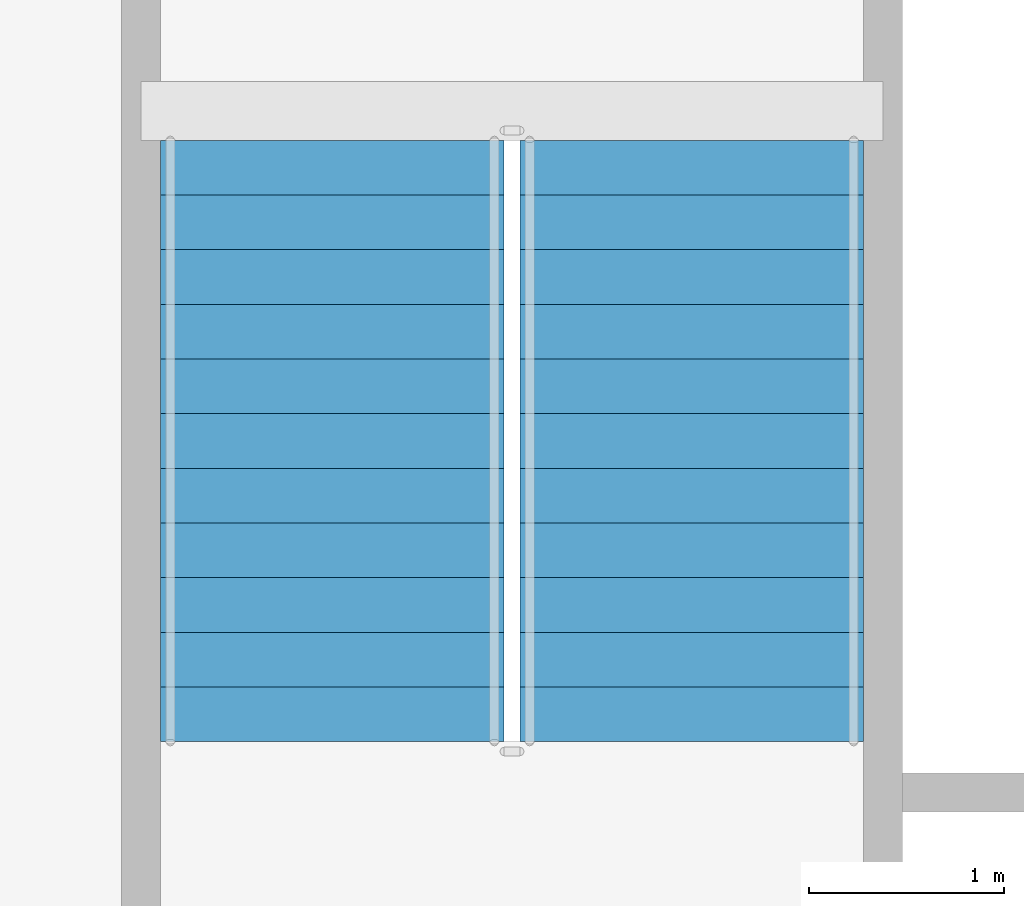
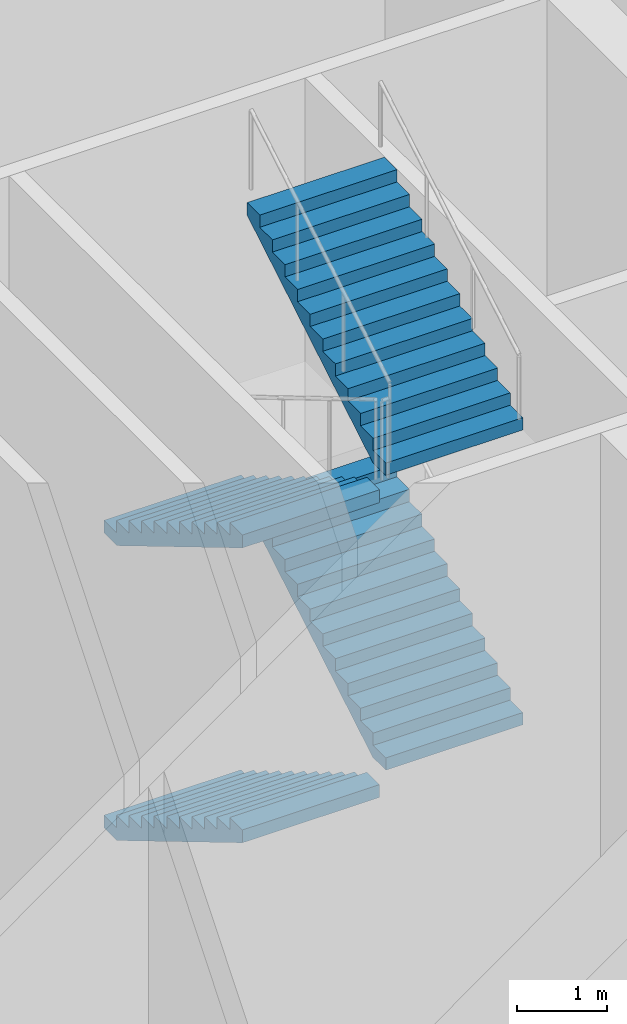
# One storey, part 46 of 55: 4 stair flights, 1 element without a shape of its own.
"""IFC4 building model written with IfcOpenShell, lengths in metres."""

from ifc_helpers import new_model, si_unit, direction, frame, origin, place, context, subcontext, project, spatial, faceted_brep, material, type_object, element, aggregate, save


model = new_model("IFC4")

# Units and contexts
model_context = context("Model", 3, precision=1e-05, world=origin(), true_north=direction((0.0, 1.0)))
body_context = subcontext(model_context, "Body", "Model", "MODEL_VIEW")
ifc_project = project(units=[si_unit("LENGTHUNIT", "METRE"), si_unit("AREAUNIT", "SQUARE_METRE"), si_unit("VOLUMEUNIT", "CUBIC_METRE"), si_unit("PLANEANGLEUNIT", "RADIAN"), si_unit("MASSUNIT", "GRAM", prefix="KILO")], contexts=[model_context])

# Site, building, storey
site_placement = place(None, origin())
site = spatial("IfcSite", under=ifc_project, at=site_placement, CompositionType="ELEMENT")
building_placement = place(site_placement, origin())
building = spatial("IfcBuilding", under=site, at=building_placement, Name="Tarsis Ring Headquarters", CompositionType="ELEMENT")
storey_placement = place(building_placement, frame((0.0, 0.0, 247.199951171875)))
storey = spatial("IfcBuildingStorey", under=building, at=storey_placement, Name="L58", CompositionType="ELEMENT", Elevation=247.199951171875)

# Stair, stair flights
ifc_material_1 = material(Name="Core stair 1760")
stair_type = type_object("IfcStairType", Name="Core stair 1760", PredefinedType="HALF_TURN_STAIR", material=ifc_material_1)
stair_placement = place(storey_placement, origin())
stair = element("IfcStair", 1, at=stair_placement, inside=storey, type_object=stair_type, Name="L58 Exit stair D", PredefinedType="HALF_TURN_STAIR")
ifc_material_2 = material(Name="Concrete C40/50", Category="concrete")
stair_flight_type = type_object("IfcStairFlightType", Name="Core stair flight 1760", PredefinedType="STRAIGHT", material=ifc_material_2)
stair_flight_1_placement = place(storey_placement, frame((3.580078125, -3.659912109375, 0.0), z_axis=(0.0, 0.0, 1.0), x_axis=(0.0, -1.0, 0.0)))
stair_flight_1 = element("IfcStairFlight", 2, at=stair_flight_1_placement, type_object=stair_flight_type, Name="Stair ST4 flight 1", NumberOfRisers=12, NumberOfTreads=11, PredefinedType="STRAIGHT", RiserHeight=0.166666667, TreadLength=0.28, context=body_context, shape_type="Brep", body=[
    faceted_brep([(0.0, 0.8798828125, 0.0), (0.0, 0.8798828125, 0.166748046875), (0.280029296875, 0.8798828125, 0.166748046875), (0.280029296875, 0.8798828125, 0.333251953125), (0.56005859375, 0.8798828125, 0.333251953125), (0.56005859375, 0.8798828125, 0.5), (0.840087890625, 0.8798828125, 0.5), (0.840087890625, 0.8798828125, 0.666748046875), (1.1201171875, 0.8798828125, 0.666748046875), (1.1201171875, 0.8798828125, 0.833251953125), (1.39990234375, 0.8798828125, 0.833251953125), (1.39990234375, 0.8798828125, 1.0), (1.679931640625, 0.8798828125, 1.0), (1.679931640625, 0.8798828125, 1.166748046875), (1.9599609375, 0.8798828125, 1.166748046875), (1.9599609375, 0.8798828125, 1.333251953125), (2.239990234375, 0.8798828125, 1.333251953125), (2.239990234375, 0.8798828125, 1.5), (2.52001953125, 0.8798828125, 1.5), (2.52001953125, 0.8798828125, 1.666748046875), (2.800048828125, 0.8798828125, 1.666748046875), (2.800048828125, 0.8798828125, 1.833251953125), (3.080078125, 0.8798828125, 1.833251953125), (3.080078125, 0.8798828125, 1.658935546875), (0.29296875, 0.8798828125, 0.0), (0.29296875, -0.8798828125, 0.0), (3.080078125, -0.8798828125, 1.658935546875), (3.080078125, -0.8798828125, 1.833251953125), (2.800048828125, -0.8798828125, 1.833251953125), (2.800048828125, -0.8798828125, 1.666748046875), (2.52001953125, -0.8798828125, 1.666748046875), (2.52001953125, -0.8798828125, 1.5), (2.239990234375, -0.8798828125, 1.5), (2.239990234375, -0.8798828125, 1.333251953125), (1.9599609375, -0.8798828125, 1.333251953125), (1.9599609375, -0.8798828125, 1.166748046875), (1.679931640625, -0.8798828125, 1.166748046875), (1.679931640625, -0.8798828125, 1.0), (1.39990234375, -0.8798828125, 1.0), (1.39990234375, -0.8798828125, 0.833251953125), (1.1201171875, -0.8798828125, 0.833251953125), (1.1201171875, -0.8798828125, 0.666748046875), (0.840087890625, -0.8798828125, 0.666748046875), (0.840087890625, -0.8798828125, 0.5), (0.56005859375, -0.8798828125, 0.5), (0.56005859375, -0.8798828125, 0.333251953125), (0.280029296875, -0.8798828125, 0.333251953125), (0.280029296875, -0.8798828125, 0.166748046875), (0.0, -0.8798828125, 0.166748046875), (0.0, -0.8798828125, 0.0), (0.0, -0.43994140625, 0.166748046875), (0.0, -0.43994140625, 0.0), (0.0, 0.0, 0.166748046875), (0.0, 0.0, 0.0), (0.0, 0.43994140625, 0.166748046875), (0.0, 0.43994140625, 0.0), (0.280029296875, -0.43994140625, 0.166748046875), (0.280029296875, 0.0, 0.166748046875), (0.280029296875, 0.43994140625, 0.166748046875), (0.280029296875, -0.43994140625, 0.333251953125), (0.280029296875, 0.0, 0.333251953125), (0.280029296875, 0.43994140625, 0.333251953125), (0.56005859375, -0.43994140625, 0.333251953125), (0.56005859375, 0.0, 0.333251953125), (0.56005859375, 0.43994140625, 0.333251953125), (0.56005859375, -0.43994140625, 0.5), (0.56005859375, 0.0, 0.5), (0.56005859375, 0.43994140625, 0.5), (0.840087890625, -0.43994140625, 0.5), (0.840087890625, 0.0, 0.5), (0.840087890625, 0.43994140625, 0.5), (0.840087890625, -0.43994140625, 0.666748046875), (0.840087890625, 0.0, 0.666748046875), (0.840087890625, 0.43994140625, 0.666748046875), (1.1201171875, -0.43994140625, 0.666748046875), (1.1201171875, 0.0, 0.666748046875), (1.1201171875, 0.43994140625, 0.666748046875), (1.1201171875, -0.43994140625, 0.833251953125), (1.1201171875, 0.0, 0.833251953125), (1.1201171875, 0.43994140625, 0.833251953125), (1.39990234375, -0.43994140625, 0.833251953125), (1.39990234375, 0.0, 0.833251953125), (1.39990234375, 0.43994140625, 0.833251953125), (1.39990234375, -0.43994140625, 1.0), (1.39990234375, 0.0, 1.0), (1.39990234375, 0.43994140625, 1.0), (1.679931640625, -0.43994140625, 1.0), (1.679931640625, 0.0, 1.0), (1.679931640625, 0.43994140625, 1.0), (1.679931640625, -0.43994140625, 1.166748046875), (1.679931640625, 0.0, 1.166748046875), (1.679931640625, 0.43994140625, 1.166748046875), (1.9599609375, -0.43994140625, 1.166748046875), (1.9599609375, 0.0, 1.166748046875), (1.9599609375, 0.43994140625, 1.166748046875), (1.9599609375, -0.43994140625, 1.333251953125), (1.9599609375, 0.0, 1.333251953125), (1.9599609375, 0.43994140625, 1.333251953125), (2.239990234375, -0.43994140625, 1.333251953125), (2.239990234375, 0.0, 1.333251953125), (2.239990234375, 0.43994140625, 1.333251953125), (2.239990234375, -0.43994140625, 1.5), (2.239990234375, 0.0, 1.5), (2.239990234375, 0.43994140625, 1.5), (2.52001953125, -0.43994140625, 1.5), (2.52001953125, 0.0, 1.5), (2.52001953125, 0.43994140625, 1.5), (2.52001953125, -0.43994140625, 1.666748046875), (2.52001953125, 0.0, 1.666748046875), (2.52001953125, 0.43994140625, 1.666748046875), (2.800048828125, -0.43994140625, 1.666748046875), (2.800048828125, 0.0, 1.666748046875), (2.800048828125, 0.43994140625, 1.666748046875), (2.800048828125, -0.43994140625, 1.833251953125), (2.800048828125, 0.0, 1.833251953125), (2.800048828125, 0.43994140625, 1.833251953125), (3.080078125, -0.43994140625, 1.833251953125), (3.080078125, 0.0, 1.833251953125), (3.080078125, 0.43994140625, 1.833251953125), (3.080078125, -0.43994140625, 1.658935546875), (3.080078125, 0.0, 1.658935546875), (3.080078125, 0.43994140625, 1.658935546875), (0.29296875, -0.43994140625, 0.0), (0.29296875, 0.0, 0.0), (0.29296875, 0.43994140625, 0.0)], [[[0, 1, 2, 3, 4, 5, 6, 7, 8, 9, 10, 11, 12, 13, 14, 15, 16, 17, 18, 19, 20, 21, 22, 23, 24]], [[25, 26, 27, 28, 29, 30, 31, 32, 33, 34, 35, 36, 37, 38, 39, 40, 41, 42, 43, 44, 45, 46, 47, 48, 49]], [[49, 48, 50, 51]], [[51, 50, 52, 53]], [[53, 52, 54, 55]], [[55, 54, 1, 0]], [[48, 47, 56, 50]], [[50, 56, 57, 52]], [[52, 57, 58, 54]], [[54, 58, 2, 1]], [[47, 46, 59, 56]], [[56, 59, 60, 57]], [[57, 60, 61, 58]], [[58, 61, 3, 2]], [[46, 45, 62, 59]], [[59, 62, 63, 60]], [[60, 63, 64, 61]], [[61, 64, 4, 3]], [[45, 44, 65, 62]], [[62, 65, 66, 63]], [[63, 66, 67, 64]], [[64, 67, 5, 4]], [[44, 43, 68, 65]], [[65, 68, 69, 66]], [[66, 69, 70, 67]], [[67, 70, 6, 5]], [[43, 42, 71, 68]], [[68, 71, 72, 69]], [[69, 72, 73, 70]], [[70, 73, 7, 6]], [[42, 41, 74, 71]], [[71, 74, 75, 72]], [[72, 75, 76, 73]], [[73, 76, 8, 7]], [[41, 40, 77, 74]], [[74, 77, 78, 75]], [[75, 78, 79, 76]], [[76, 79, 9, 8]], [[40, 39, 80, 77]], [[77, 80, 81, 78]], [[78, 81, 82, 79]], [[79, 82, 10, 9]], [[39, 38, 83, 80]], [[80, 83, 84, 81]], [[81, 84, 85, 82]], [[82, 85, 11, 10]], [[38, 37, 86, 83]], [[83, 86, 87, 84]], [[84, 87, 88, 85]], [[85, 88, 12, 11]], [[37, 36, 89, 86]], [[86, 89, 90, 87]], [[87, 90, 91, 88]], [[88, 91, 13, 12]], [[36, 35, 92, 89]], [[89, 92, 93, 90]], [[90, 93, 94, 91]], [[91, 94, 14, 13]], [[35, 34, 95, 92]], [[92, 95, 96, 93]], [[93, 96, 97, 94]], [[94, 97, 15, 14]], [[34, 33, 98, 95]], [[95, 98, 99, 96]], [[96, 99, 100, 97]], [[97, 100, 16, 15]], [[33, 32, 101, 98]], [[98, 101, 102, 99]], [[99, 102, 103, 100]], [[100, 103, 17, 16]], [[32, 31, 104, 101]], [[101, 104, 105, 102]], [[102, 105, 106, 103]], [[103, 106, 18, 17]], [[31, 30, 107, 104]], [[104, 107, 108, 105]], [[105, 108, 109, 106]], [[106, 109, 19, 18]], [[30, 29, 110, 107]], [[107, 110, 111, 108]], [[108, 111, 112, 109]], [[109, 112, 20, 19]], [[29, 28, 113, 110]], [[110, 113, 114, 111]], [[111, 114, 115, 112]], [[112, 115, 21, 20]], [[28, 27, 116, 113]], [[113, 116, 117, 114]], [[114, 117, 118, 115]], [[115, 118, 22, 21]], [[27, 26, 119, 116]], [[116, 119, 120, 117]], [[117, 120, 121, 118]], [[118, 121, 23, 22]], [[26, 25, 122, 119]], [[119, 122, 123, 120]], [[120, 123, 124, 121]], [[121, 124, 24, 23]], [[25, 49, 51, 122]], [[122, 51, 53, 123]], [[123, 53, 55, 124]], [[124, 55, 0, 24]]]),
])
stair_flight_2_placement = place(storey_placement, frame((5.419921875, -6.739990234375, 2.0), z_axis=(0.0, 0.0, 1.0), x_axis=(0.0, 1.0, 0.0)))
stair_flight_2 = element("IfcStairFlight", 3, at=stair_flight_2_placement, type_object=stair_flight_type, Name="Stair ST4 flight 2", NumberOfRisers=12, NumberOfTreads=11, PredefinedType="STRAIGHT", RiserHeight=0.166666667, TreadLength=0.28, context=body_context, shape_type="Brep", body=[
    faceted_brep([(0.0, 0.8798828125, 0.0), (0.0, 0.8798828125, 0.166748046875), (0.280029296875, 0.8798828125, 0.166748046875), (0.280029296875, 0.8798828125, 0.333251953125), (0.56005859375, 0.8798828125, 0.333251953125), (0.56005859375, 0.8798828125, 0.5), (0.840087890625, 0.8798828125, 0.5), (0.840087890625, 0.8798828125, 0.666748046875), (1.1201171875, 0.8798828125, 0.666748046875), (1.1201171875, 0.8798828125, 0.833251953125), (1.39990234375, 0.8798828125, 0.833251953125), (1.39990234375, 0.8798828125, 1.0), (1.679931640625, 0.8798828125, 1.0), (1.679931640625, 0.8798828125, 1.166748046875), (1.9599609375, 0.8798828125, 1.166748046875), (1.9599609375, 0.8798828125, 1.333251953125), (2.239990234375, 0.8798828125, 1.333251953125), (2.239990234375, 0.8798828125, 1.5), (2.52001953125, 0.8798828125, 1.5), (2.52001953125, 0.8798828125, 1.666748046875), (2.800048828125, 0.8798828125, 1.666748046875), (2.800048828125, 0.8798828125, 1.833251953125), (3.080078125, 0.8798828125, 1.833251953125), (3.080078125, 0.8798828125, 1.658935546875), (0.29296875, 0.8798828125, 0.0), (0.29296875, -0.8798828125, 0.0), (3.080078125, -0.8798828125, 1.658935546875), (3.080078125, -0.8798828125, 1.833251953125), (2.800048828125, -0.8798828125, 1.833251953125), (2.800048828125, -0.8798828125, 1.666748046875), (2.52001953125, -0.8798828125, 1.666748046875), (2.52001953125, -0.8798828125, 1.5), (2.239990234375, -0.8798828125, 1.5), (2.239990234375, -0.8798828125, 1.333251953125), (1.9599609375, -0.8798828125, 1.333251953125), (1.9599609375, -0.8798828125, 1.166748046875), (1.679931640625, -0.8798828125, 1.166748046875), (1.679931640625, -0.8798828125, 1.0), (1.39990234375, -0.8798828125, 1.0), (1.39990234375, -0.8798828125, 0.833251953125), (1.1201171875, -0.8798828125, 0.833251953125), (1.1201171875, -0.8798828125, 0.666748046875), (0.840087890625, -0.8798828125, 0.666748046875), (0.840087890625, -0.8798828125, 0.5), (0.56005859375, -0.8798828125, 0.5), (0.56005859375, -0.8798828125, 0.333251953125), (0.280029296875, -0.8798828125, 0.333251953125), (0.280029296875, -0.8798828125, 0.166748046875), (0.0, -0.8798828125, 0.166748046875), (0.0, -0.8798828125, 0.0), (0.0, -0.43994140625, 0.166748046875), (0.0, -0.43994140625, 0.0), (0.0, 0.0, 0.166748046875), (0.0, 0.0, 0.0), (0.0, 0.43994140625, 0.166748046875), (0.0, 0.43994140625, 0.0), (0.280029296875, -0.43994140625, 0.166748046875), (0.280029296875, 0.0, 0.166748046875), (0.280029296875, 0.43994140625, 0.166748046875), (0.280029296875, -0.43994140625, 0.333251953125), (0.280029296875, 0.0, 0.333251953125), (0.280029296875, 0.43994140625, 0.333251953125), (0.56005859375, -0.43994140625, 0.333251953125), (0.56005859375, 0.0, 0.333251953125), (0.56005859375, 0.43994140625, 0.333251953125), (0.56005859375, -0.43994140625, 0.5), (0.56005859375, 0.0, 0.5), (0.56005859375, 0.43994140625, 0.5), (0.840087890625, -0.43994140625, 0.5), (0.840087890625, 0.0, 0.5), (0.840087890625, 0.43994140625, 0.5), (0.840087890625, -0.43994140625, 0.666748046875), (0.840087890625, 0.0, 0.666748046875), (0.840087890625, 0.43994140625, 0.666748046875), (1.1201171875, -0.43994140625, 0.666748046875), (1.1201171875, 0.0, 0.666748046875), (1.1201171875, 0.43994140625, 0.666748046875), (1.1201171875, -0.43994140625, 0.833251953125), (1.1201171875, 0.0, 0.833251953125), (1.1201171875, 0.43994140625, 0.833251953125), (1.39990234375, -0.43994140625, 0.833251953125), (1.39990234375, 0.0, 0.833251953125), (1.39990234375, 0.43994140625, 0.833251953125), (1.39990234375, -0.43994140625, 1.0), (1.39990234375, 0.0, 1.0), (1.39990234375, 0.43994140625, 1.0), (1.679931640625, -0.43994140625, 1.0), (1.679931640625, 0.0, 1.0), (1.679931640625, 0.43994140625, 1.0), (1.679931640625, -0.43994140625, 1.166748046875), (1.679931640625, 0.0, 1.166748046875), (1.679931640625, 0.43994140625, 1.166748046875), (1.9599609375, -0.43994140625, 1.166748046875), (1.9599609375, 0.0, 1.166748046875), (1.9599609375, 0.43994140625, 1.166748046875), (1.9599609375, -0.43994140625, 1.333251953125), (1.9599609375, 0.0, 1.333251953125), (1.9599609375, 0.43994140625, 1.333251953125), (2.239990234375, -0.43994140625, 1.333251953125), (2.239990234375, 0.0, 1.333251953125), (2.239990234375, 0.43994140625, 1.333251953125), (2.239990234375, -0.43994140625, 1.5), (2.239990234375, 0.0, 1.5), (2.239990234375, 0.43994140625, 1.5), (2.52001953125, -0.43994140625, 1.5), (2.52001953125, 0.0, 1.5), (2.52001953125, 0.43994140625, 1.5), (2.52001953125, -0.43994140625, 1.666748046875), (2.52001953125, 0.0, 1.666748046875), (2.52001953125, 0.43994140625, 1.666748046875), (2.800048828125, -0.43994140625, 1.666748046875), (2.800048828125, 0.0, 1.666748046875), (2.800048828125, 0.43994140625, 1.666748046875), (2.800048828125, -0.43994140625, 1.833251953125), (2.800048828125, 0.0, 1.833251953125), (2.800048828125, 0.43994140625, 1.833251953125), (3.080078125, -0.43994140625, 1.833251953125), (3.080078125, 0.0, 1.833251953125), (3.080078125, 0.43994140625, 1.833251953125), (3.080078125, -0.43994140625, 1.658935546875), (3.080078125, 0.0, 1.658935546875), (3.080078125, 0.43994140625, 1.658935546875), (0.29296875, -0.43994140625, 0.0), (0.29296875, 0.0, 0.0), (0.29296875, 0.43994140625, 0.0)], [[[0, 1, 2, 3, 4, 5, 6, 7, 8, 9, 10, 11, 12, 13, 14, 15, 16, 17, 18, 19, 20, 21, 22, 23, 24]], [[25, 26, 27, 28, 29, 30, 31, 32, 33, 34, 35, 36, 37, 38, 39, 40, 41, 42, 43, 44, 45, 46, 47, 48, 49]], [[49, 48, 50, 51]], [[51, 50, 52, 53]], [[53, 52, 54, 55]], [[55, 54, 1, 0]], [[48, 47, 56, 50]], [[50, 56, 57, 52]], [[52, 57, 58, 54]], [[54, 58, 2, 1]], [[47, 46, 59, 56]], [[56, 59, 60, 57]], [[57, 60, 61, 58]], [[58, 61, 3, 2]], [[46, 45, 62, 59]], [[59, 62, 63, 60]], [[60, 63, 64, 61]], [[61, 64, 4, 3]], [[45, 44, 65, 62]], [[62, 65, 66, 63]], [[63, 66, 67, 64]], [[64, 67, 5, 4]], [[44, 43, 68, 65]], [[65, 68, 69, 66]], [[66, 69, 70, 67]], [[67, 70, 6, 5]], [[43, 42, 71, 68]], [[68, 71, 72, 69]], [[69, 72, 73, 70]], [[70, 73, 7, 6]], [[42, 41, 74, 71]], [[71, 74, 75, 72]], [[72, 75, 76, 73]], [[73, 76, 8, 7]], [[41, 40, 77, 74]], [[74, 77, 78, 75]], [[75, 78, 79, 76]], [[76, 79, 9, 8]], [[40, 39, 80, 77]], [[77, 80, 81, 78]], [[78, 81, 82, 79]], [[79, 82, 10, 9]], [[39, 38, 83, 80]], [[80, 83, 84, 81]], [[81, 84, 85, 82]], [[82, 85, 11, 10]], [[38, 37, 86, 83]], [[83, 86, 87, 84]], [[84, 87, 88, 85]], [[85, 88, 12, 11]], [[37, 36, 89, 86]], [[86, 89, 90, 87]], [[87, 90, 91, 88]], [[88, 91, 13, 12]], [[36, 35, 92, 89]], [[89, 92, 93, 90]], [[90, 93, 94, 91]], [[91, 94, 14, 13]], [[35, 34, 95, 92]], [[92, 95, 96, 93]], [[93, 96, 97, 94]], [[94, 97, 15, 14]], [[34, 33, 98, 95]], [[95, 98, 99, 96]], [[96, 99, 100, 97]], [[97, 100, 16, 15]], [[33, 32, 101, 98]], [[98, 101, 102, 99]], [[99, 102, 103, 100]], [[100, 103, 17, 16]], [[32, 31, 104, 101]], [[101, 104, 105, 102]], [[102, 105, 106, 103]], [[103, 106, 18, 17]], [[31, 30, 107, 104]], [[104, 107, 108, 105]], [[105, 108, 109, 106]], [[106, 109, 19, 18]], [[30, 29, 110, 107]], [[107, 110, 111, 108]], [[108, 111, 112, 109]], [[109, 112, 20, 19]], [[29, 28, 113, 110]], [[110, 113, 114, 111]], [[111, 114, 115, 112]], [[112, 115, 21, 20]], [[28, 27, 116, 113]], [[113, 116, 117, 114]], [[114, 117, 118, 115]], [[115, 118, 22, 21]], [[27, 26, 119, 116]], [[116, 119, 120, 117]], [[117, 120, 121, 118]], [[118, 121, 23, 22]], [[26, 25, 122, 119]], [[119, 122, 123, 120]], [[120, 123, 124, 121]], [[121, 124, 24, 23]], [[25, 49, 51, 122]], [[122, 51, 53, 123]], [[123, 53, 55, 124]], [[124, 55, 0, 24]]]),
])
stair_flight_3_placement = place(storey_placement, frame((3.580078125, -3.659912109375, 4.0), z_axis=(0.0, 0.0, 1.0), x_axis=(0.0, -1.0, 0.0)))
stair_flight_3 = element("IfcStairFlight", 4, at=stair_flight_3_placement, type_object=stair_flight_type, Name="Stair ST4 flight 3", NumberOfRisers=12, NumberOfTreads=11, PredefinedType="STRAIGHT", RiserHeight=0.166666667, TreadLength=0.28, context=body_context, shape_type="Brep", body=[
    faceted_brep([(0.0, 0.8798828125, 0.0), (0.0, 0.8798828125, 0.166748046875), (0.280029296875, 0.8798828125, 0.166748046875), (0.280029296875, 0.8798828125, 0.333251953125), (0.56005859375, 0.8798828125, 0.333251953125), (0.56005859375, 0.8798828125, 0.5), (0.840087890625, 0.8798828125, 0.5), (0.840087890625, 0.8798828125, 0.666748046875), (1.1201171875, 0.8798828125, 0.666748046875), (1.1201171875, 0.8798828125, 0.833251953125), (1.39990234375, 0.8798828125, 0.833251953125), (1.39990234375, 0.8798828125, 1.0), (1.679931640625, 0.8798828125, 1.0), (1.679931640625, 0.8798828125, 1.166748046875), (1.9599609375, 0.8798828125, 1.166748046875), (1.9599609375, 0.8798828125, 1.333251953125), (2.239990234375, 0.8798828125, 1.333251953125), (2.239990234375, 0.8798828125, 1.5), (2.52001953125, 0.8798828125, 1.5), (2.52001953125, 0.8798828125, 1.666748046875), (2.800048828125, 0.8798828125, 1.666748046875), (2.800048828125, 0.8798828125, 1.833251953125), (3.080078125, 0.8798828125, 1.833251953125), (3.080078125, 0.8798828125, 1.658935546875), (0.29296875, 0.8798828125, 0.0), (0.29296875, -0.8798828125, 0.0), (3.080078125, -0.8798828125, 1.658935546875), (3.080078125, -0.8798828125, 1.833251953125), (2.800048828125, -0.8798828125, 1.833251953125), (2.800048828125, -0.8798828125, 1.666748046875), (2.52001953125, -0.8798828125, 1.666748046875), (2.52001953125, -0.8798828125, 1.5), (2.239990234375, -0.8798828125, 1.5), (2.239990234375, -0.8798828125, 1.333251953125), (1.9599609375, -0.8798828125, 1.333251953125), (1.9599609375, -0.8798828125, 1.166748046875), (1.679931640625, -0.8798828125, 1.166748046875), (1.679931640625, -0.8798828125, 1.0), (1.39990234375, -0.8798828125, 1.0), (1.39990234375, -0.8798828125, 0.833251953125), (1.1201171875, -0.8798828125, 0.833251953125), (1.1201171875, -0.8798828125, 0.666748046875), (0.840087890625, -0.8798828125, 0.666748046875), (0.840087890625, -0.8798828125, 0.5), (0.56005859375, -0.8798828125, 0.5), (0.56005859375, -0.8798828125, 0.333251953125), (0.280029296875, -0.8798828125, 0.333251953125), (0.280029296875, -0.8798828125, 0.166748046875), (0.0, -0.8798828125, 0.166748046875), (0.0, -0.8798828125, 0.0), (0.0, -0.43994140625, 0.166748046875), (0.0, -0.43994140625, 0.0), (0.0, 0.0, 0.166748046875), (0.0, 0.0, 0.0), (0.0, 0.43994140625, 0.166748046875), (0.0, 0.43994140625, 0.0), (0.280029296875, -0.43994140625, 0.166748046875), (0.280029296875, 0.0, 0.166748046875), (0.280029296875, 0.43994140625, 0.166748046875), (0.280029296875, -0.43994140625, 0.333251953125), (0.280029296875, 0.0, 0.333251953125), (0.280029296875, 0.43994140625, 0.333251953125), (0.56005859375, -0.43994140625, 0.333251953125), (0.56005859375, 0.0, 0.333251953125), (0.56005859375, 0.43994140625, 0.333251953125), (0.56005859375, -0.43994140625, 0.5), (0.56005859375, 0.0, 0.5), (0.56005859375, 0.43994140625, 0.5), (0.840087890625, -0.43994140625, 0.5), (0.840087890625, 0.0, 0.5), (0.840087890625, 0.43994140625, 0.5), (0.840087890625, -0.43994140625, 0.666748046875), (0.840087890625, 0.0, 0.666748046875), (0.840087890625, 0.43994140625, 0.666748046875), (1.1201171875, -0.43994140625, 0.666748046875), (1.1201171875, 0.0, 0.666748046875), (1.1201171875, 0.43994140625, 0.666748046875), (1.1201171875, -0.43994140625, 0.833251953125), (1.1201171875, 0.0, 0.833251953125), (1.1201171875, 0.43994140625, 0.833251953125), (1.39990234375, -0.43994140625, 0.833251953125), (1.39990234375, 0.0, 0.833251953125), (1.39990234375, 0.43994140625, 0.833251953125), (1.39990234375, -0.43994140625, 1.0), (1.39990234375, 0.0, 1.0), (1.39990234375, 0.43994140625, 1.0), (1.679931640625, -0.43994140625, 1.0), (1.679931640625, 0.0, 1.0), (1.679931640625, 0.43994140625, 1.0), (1.679931640625, -0.43994140625, 1.166748046875), (1.679931640625, 0.0, 1.166748046875), (1.679931640625, 0.43994140625, 1.166748046875), (1.9599609375, -0.43994140625, 1.166748046875), (1.9599609375, 0.0, 1.166748046875), (1.9599609375, 0.43994140625, 1.166748046875), (1.9599609375, -0.43994140625, 1.333251953125), (1.9599609375, 0.0, 1.333251953125), (1.9599609375, 0.43994140625, 1.333251953125), (2.239990234375, -0.43994140625, 1.333251953125), (2.239990234375, 0.0, 1.333251953125), (2.239990234375, 0.43994140625, 1.333251953125), (2.239990234375, -0.43994140625, 1.5), (2.239990234375, 0.0, 1.5), (2.239990234375, 0.43994140625, 1.5), (2.52001953125, -0.43994140625, 1.5), (2.52001953125, 0.0, 1.5), (2.52001953125, 0.43994140625, 1.5), (2.52001953125, -0.43994140625, 1.666748046875), (2.52001953125, 0.0, 1.666748046875), (2.52001953125, 0.43994140625, 1.666748046875), (2.800048828125, -0.43994140625, 1.666748046875), (2.800048828125, 0.0, 1.666748046875), (2.800048828125, 0.43994140625, 1.666748046875), (2.800048828125, -0.43994140625, 1.833251953125), (2.800048828125, 0.0, 1.833251953125), (2.800048828125, 0.43994140625, 1.833251953125), (3.080078125, -0.43994140625, 1.833251953125), (3.080078125, 0.0, 1.833251953125), (3.080078125, 0.43994140625, 1.833251953125), (3.080078125, -0.43994140625, 1.658935546875), (3.080078125, 0.0, 1.658935546875), (3.080078125, 0.43994140625, 1.658935546875), (0.29296875, -0.43994140625, 0.0), (0.29296875, 0.0, 0.0), (0.29296875, 0.43994140625, 0.0)], [[[0, 1, 2, 3, 4, 5, 6, 7, 8, 9, 10, 11, 12, 13, 14, 15, 16, 17, 18, 19, 20, 21, 22, 23, 24]], [[25, 26, 27, 28, 29, 30, 31, 32, 33, 34, 35, 36, 37, 38, 39, 40, 41, 42, 43, 44, 45, 46, 47, 48, 49]], [[49, 48, 50, 51]], [[51, 50, 52, 53]], [[53, 52, 54, 55]], [[55, 54, 1, 0]], [[48, 47, 56, 50]], [[50, 56, 57, 52]], [[52, 57, 58, 54]], [[54, 58, 2, 1]], [[47, 46, 59, 56]], [[56, 59, 60, 57]], [[57, 60, 61, 58]], [[58, 61, 3, 2]], [[46, 45, 62, 59]], [[59, 62, 63, 60]], [[60, 63, 64, 61]], [[61, 64, 4, 3]], [[45, 44, 65, 62]], [[62, 65, 66, 63]], [[63, 66, 67, 64]], [[64, 67, 5, 4]], [[44, 43, 68, 65]], [[65, 68, 69, 66]], [[66, 69, 70, 67]], [[67, 70, 6, 5]], [[43, 42, 71, 68]], [[68, 71, 72, 69]], [[69, 72, 73, 70]], [[70, 73, 7, 6]], [[42, 41, 74, 71]], [[71, 74, 75, 72]], [[72, 75, 76, 73]], [[73, 76, 8, 7]], [[41, 40, 77, 74]], [[74, 77, 78, 75]], [[75, 78, 79, 76]], [[76, 79, 9, 8]], [[40, 39, 80, 77]], [[77, 80, 81, 78]], [[78, 81, 82, 79]], [[79, 82, 10, 9]], [[39, 38, 83, 80]], [[80, 83, 84, 81]], [[81, 84, 85, 82]], [[82, 85, 11, 10]], [[38, 37, 86, 83]], [[83, 86, 87, 84]], [[84, 87, 88, 85]], [[85, 88, 12, 11]], [[37, 36, 89, 86]], [[86, 89, 90, 87]], [[87, 90, 91, 88]], [[88, 91, 13, 12]], [[36, 35, 92, 89]], [[89, 92, 93, 90]], [[90, 93, 94, 91]], [[91, 94, 14, 13]], [[35, 34, 95, 92]], [[92, 95, 96, 93]], [[93, 96, 97, 94]], [[94, 97, 15, 14]], [[34, 33, 98, 95]], [[95, 98, 99, 96]], [[96, 99, 100, 97]], [[97, 100, 16, 15]], [[33, 32, 101, 98]], [[98, 101, 102, 99]], [[99, 102, 103, 100]], [[100, 103, 17, 16]], [[32, 31, 104, 101]], [[101, 104, 105, 102]], [[102, 105, 106, 103]], [[103, 106, 18, 17]], [[31, 30, 107, 104]], [[104, 107, 108, 105]], [[105, 108, 109, 106]], [[106, 109, 19, 18]], [[30, 29, 110, 107]], [[107, 110, 111, 108]], [[108, 111, 112, 109]], [[109, 112, 20, 19]], [[29, 28, 113, 110]], [[110, 113, 114, 111]], [[111, 114, 115, 112]], [[112, 115, 21, 20]], [[28, 27, 116, 113]], [[113, 116, 117, 114]], [[114, 117, 118, 115]], [[115, 118, 22, 21]], [[27, 26, 119, 116]], [[116, 119, 120, 117]], [[117, 120, 121, 118]], [[118, 121, 23, 22]], [[26, 25, 122, 119]], [[119, 122, 123, 120]], [[120, 123, 124, 121]], [[121, 124, 24, 23]], [[25, 49, 51, 122]], [[122, 51, 53, 123]], [[123, 53, 55, 124]], [[124, 55, 0, 24]]]),
])
stair_flight_4_placement = place(storey_placement, frame((5.419921875, -6.739990234375, 6.0), z_axis=(0.0, 0.0, 1.0), x_axis=(0.0, 1.0, 0.0)))
stair_flight_4 = element("IfcStairFlight", 5, at=stair_flight_4_placement, type_object=stair_flight_type, Name="Stair ST4 flight 4", NumberOfRisers=12, NumberOfTreads=11, PredefinedType="STRAIGHT", RiserHeight=0.166666667, TreadLength=0.28, context=body_context, shape_type="Brep", body=[
    faceted_brep([(0.0, 0.8798828125, 0.0), (0.0, 0.8798828125, 0.166748046875), (0.280029296875, 0.8798828125, 0.166748046875), (0.280029296875, 0.8798828125, 0.333251953125), (0.56005859375, 0.8798828125, 0.333251953125), (0.56005859375, 0.8798828125, 0.5), (0.840087890625, 0.8798828125, 0.5), (0.840087890625, 0.8798828125, 0.666748046875), (1.1201171875, 0.8798828125, 0.666748046875), (1.1201171875, 0.8798828125, 0.833251953125), (1.39990234375, 0.8798828125, 0.833251953125), (1.39990234375, 0.8798828125, 1.0), (1.679931640625, 0.8798828125, 1.0), (1.679931640625, 0.8798828125, 1.166748046875), (1.9599609375, 0.8798828125, 1.166748046875), (1.9599609375, 0.8798828125, 1.333251953125), (2.239990234375, 0.8798828125, 1.333251953125), (2.239990234375, 0.8798828125, 1.5), (2.52001953125, 0.8798828125, 1.5), (2.52001953125, 0.8798828125, 1.666748046875), (2.800048828125, 0.8798828125, 1.666748046875), (2.800048828125, 0.8798828125, 1.833251953125), (3.080078125, 0.8798828125, 1.833251953125), (3.080078125, 0.8798828125, 1.658935546875), (0.29296875, 0.8798828125, 0.0), (0.29296875, -0.8798828125, 0.0), (3.080078125, -0.8798828125, 1.658935546875), (3.080078125, -0.8798828125, 1.833251953125), (2.800048828125, -0.8798828125, 1.833251953125), (2.800048828125, -0.8798828125, 1.666748046875), (2.52001953125, -0.8798828125, 1.666748046875), (2.52001953125, -0.8798828125, 1.5), (2.239990234375, -0.8798828125, 1.5), (2.239990234375, -0.8798828125, 1.333251953125), (1.9599609375, -0.8798828125, 1.333251953125), (1.9599609375, -0.8798828125, 1.166748046875), (1.679931640625, -0.8798828125, 1.166748046875), (1.679931640625, -0.8798828125, 1.0), (1.39990234375, -0.8798828125, 1.0), (1.39990234375, -0.8798828125, 0.833251953125), (1.1201171875, -0.8798828125, 0.833251953125), (1.1201171875, -0.8798828125, 0.666748046875), (0.840087890625, -0.8798828125, 0.666748046875), (0.840087890625, -0.8798828125, 0.5), (0.56005859375, -0.8798828125, 0.5), (0.56005859375, -0.8798828125, 0.333251953125), (0.280029296875, -0.8798828125, 0.333251953125), (0.280029296875, -0.8798828125, 0.166748046875), (0.0, -0.8798828125, 0.166748046875), (0.0, -0.8798828125, 0.0), (0.0, -0.43994140625, 0.166748046875), (0.0, -0.43994140625, 0.0), (0.0, 0.0, 0.166748046875), (0.0, 0.0, 0.0), (0.0, 0.43994140625, 0.166748046875), (0.0, 0.43994140625, 0.0), (0.280029296875, -0.43994140625, 0.166748046875), (0.280029296875, 0.0, 0.166748046875), (0.280029296875, 0.43994140625, 0.166748046875), (0.280029296875, -0.43994140625, 0.333251953125), (0.280029296875, 0.0, 0.333251953125), (0.280029296875, 0.43994140625, 0.333251953125), (0.56005859375, -0.43994140625, 0.333251953125), (0.56005859375, 0.0, 0.333251953125), (0.56005859375, 0.43994140625, 0.333251953125), (0.56005859375, -0.43994140625, 0.5), (0.56005859375, 0.0, 0.5), (0.56005859375, 0.43994140625, 0.5), (0.840087890625, -0.43994140625, 0.5), (0.840087890625, 0.0, 0.5), (0.840087890625, 0.43994140625, 0.5), (0.840087890625, -0.43994140625, 0.666748046875), (0.840087890625, 0.0, 0.666748046875), (0.840087890625, 0.43994140625, 0.666748046875), (1.1201171875, -0.43994140625, 0.666748046875), (1.1201171875, 0.0, 0.666748046875), (1.1201171875, 0.43994140625, 0.666748046875), (1.1201171875, -0.43994140625, 0.833251953125), (1.1201171875, 0.0, 0.833251953125), (1.1201171875, 0.43994140625, 0.833251953125), (1.39990234375, -0.43994140625, 0.833251953125), (1.39990234375, 0.0, 0.833251953125), (1.39990234375, 0.43994140625, 0.833251953125), (1.39990234375, -0.43994140625, 1.0), (1.39990234375, 0.0, 1.0), (1.39990234375, 0.43994140625, 1.0), (1.679931640625, -0.43994140625, 1.0), (1.679931640625, 0.0, 1.0), (1.679931640625, 0.43994140625, 1.0), (1.679931640625, -0.43994140625, 1.166748046875), (1.679931640625, 0.0, 1.166748046875), (1.679931640625, 0.43994140625, 1.166748046875), (1.9599609375, -0.43994140625, 1.166748046875), (1.9599609375, 0.0, 1.166748046875), (1.9599609375, 0.43994140625, 1.166748046875), (1.9599609375, -0.43994140625, 1.333251953125), (1.9599609375, 0.0, 1.333251953125), (1.9599609375, 0.43994140625, 1.333251953125), (2.239990234375, -0.43994140625, 1.333251953125), (2.239990234375, 0.0, 1.333251953125), (2.239990234375, 0.43994140625, 1.333251953125), (2.239990234375, -0.43994140625, 1.5), (2.239990234375, 0.0, 1.5), (2.239990234375, 0.43994140625, 1.5), (2.52001953125, -0.43994140625, 1.5), (2.52001953125, 0.0, 1.5), (2.52001953125, 0.43994140625, 1.5), (2.52001953125, -0.43994140625, 1.666748046875), (2.52001953125, 0.0, 1.666748046875), (2.52001953125, 0.43994140625, 1.666748046875), (2.800048828125, -0.43994140625, 1.666748046875), (2.800048828125, 0.0, 1.666748046875), (2.800048828125, 0.43994140625, 1.666748046875), (2.800048828125, -0.43994140625, 1.833251953125), (2.800048828125, 0.0, 1.833251953125), (2.800048828125, 0.43994140625, 1.833251953125), (3.080078125, -0.43994140625, 1.833251953125), (3.080078125, 0.0, 1.833251953125), (3.080078125, 0.43994140625, 1.833251953125), (3.080078125, -0.43994140625, 1.658935546875), (3.080078125, 0.0, 1.658935546875), (3.080078125, 0.43994140625, 1.658935546875), (0.29296875, -0.43994140625, 0.0), (0.29296875, 0.0, 0.0), (0.29296875, 0.43994140625, 0.0)], [[[0, 1, 2, 3, 4, 5, 6, 7, 8, 9, 10, 11, 12, 13, 14, 15, 16, 17, 18, 19, 20, 21, 22, 23, 24]], [[25, 26, 27, 28, 29, 30, 31, 32, 33, 34, 35, 36, 37, 38, 39, 40, 41, 42, 43, 44, 45, 46, 47, 48, 49]], [[49, 48, 50, 51]], [[51, 50, 52, 53]], [[53, 52, 54, 55]], [[55, 54, 1, 0]], [[48, 47, 56, 50]], [[50, 56, 57, 52]], [[52, 57, 58, 54]], [[54, 58, 2, 1]], [[47, 46, 59, 56]], [[56, 59, 60, 57]], [[57, 60, 61, 58]], [[58, 61, 3, 2]], [[46, 45, 62, 59]], [[59, 62, 63, 60]], [[60, 63, 64, 61]], [[61, 64, 4, 3]], [[45, 44, 65, 62]], [[62, 65, 66, 63]], [[63, 66, 67, 64]], [[64, 67, 5, 4]], [[44, 43, 68, 65]], [[65, 68, 69, 66]], [[66, 69, 70, 67]], [[67, 70, 6, 5]], [[43, 42, 71, 68]], [[68, 71, 72, 69]], [[69, 72, 73, 70]], [[70, 73, 7, 6]], [[42, 41, 74, 71]], [[71, 74, 75, 72]], [[72, 75, 76, 73]], [[73, 76, 8, 7]], [[41, 40, 77, 74]], [[74, 77, 78, 75]], [[75, 78, 79, 76]], [[76, 79, 9, 8]], [[40, 39, 80, 77]], [[77, 80, 81, 78]], [[78, 81, 82, 79]], [[79, 82, 10, 9]], [[39, 38, 83, 80]], [[80, 83, 84, 81]], [[81, 84, 85, 82]], [[82, 85, 11, 10]], [[38, 37, 86, 83]], [[83, 86, 87, 84]], [[84, 87, 88, 85]], [[85, 88, 12, 11]], [[37, 36, 89, 86]], [[86, 89, 90, 87]], [[87, 90, 91, 88]], [[88, 91, 13, 12]], [[36, 35, 92, 89]], [[89, 92, 93, 90]], [[90, 93, 94, 91]], [[91, 94, 14, 13]], [[35, 34, 95, 92]], [[92, 95, 96, 93]], [[93, 96, 97, 94]], [[94, 97, 15, 14]], [[34, 33, 98, 95]], [[95, 98, 99, 96]], [[96, 99, 100, 97]], [[97, 100, 16, 15]], [[33, 32, 101, 98]], [[98, 101, 102, 99]], [[99, 102, 103, 100]], [[100, 103, 17, 16]], [[32, 31, 104, 101]], [[101, 104, 105, 102]], [[102, 105, 106, 103]], [[103, 106, 18, 17]], [[31, 30, 107, 104]], [[104, 107, 108, 105]], [[105, 108, 109, 106]], [[106, 109, 19, 18]], [[30, 29, 110, 107]], [[107, 110, 111, 108]], [[108, 111, 112, 109]], [[109, 112, 20, 19]], [[29, 28, 113, 110]], [[110, 113, 114, 111]], [[111, 114, 115, 112]], [[112, 115, 21, 20]], [[28, 27, 116, 113]], [[113, 116, 117, 114]], [[114, 117, 118, 115]], [[115, 118, 22, 21]], [[27, 26, 119, 116]], [[116, 119, 120, 117]], [[117, 120, 121, 118]], [[118, 121, 23, 22]], [[26, 25, 122, 119]], [[119, 122, 123, 120]], [[120, 123, 124, 121]], [[121, 124, 24, 23]], [[25, 49, 51, 122]], [[122, 51, 53, 123]], [[123, 53, 55, 124]], [[124, 55, 0, 24]]]),
])
aggregate(stair, [stair_flight_1, stair_flight_2, stair_flight_3, stair_flight_4])

save(model, "model.ifc")
